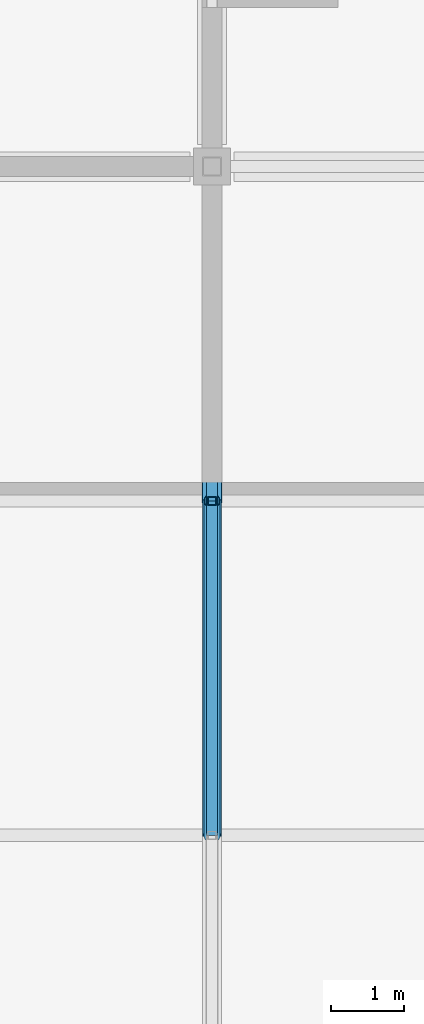
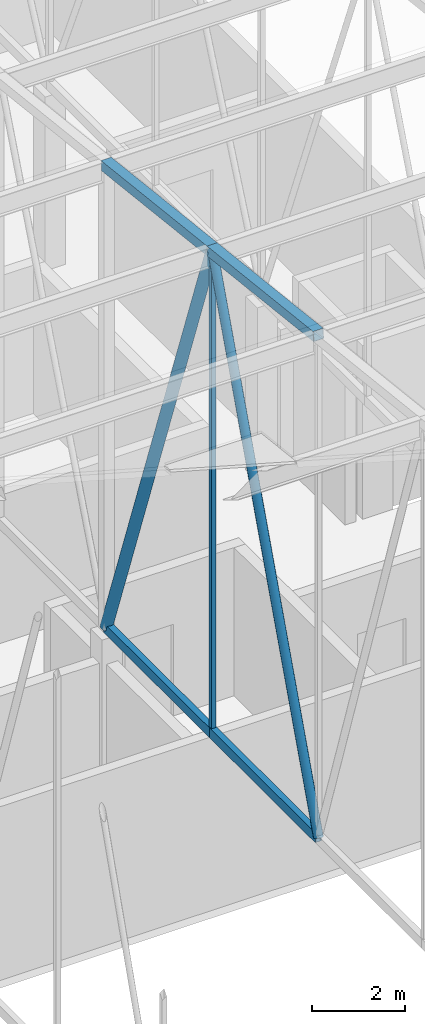
# One storey, part 197 of 500: 7 members.
"""IFC4 building model written with IfcOpenShell, lengths in metres."""

from ifc_helpers import new_model, si_unit, direction, frame, origin, origin_2d, place, context, subcontext, project, spatial, hollow_rectangle, hollow_circle, extrude, material, material_profile, profile_set, type_object, element, save


model = new_model("IFC4")

# Units and contexts
model_context = context("Model", 3, precision=1e-05, world=origin(), true_north=direction((0.0, 1.0)))
body_context = subcontext(model_context, "Body", "Model", "MODEL_VIEW")
ifc_project = project(units=[si_unit("LENGTHUNIT", "METRE"), si_unit("AREAUNIT", "SQUARE_METRE"), si_unit("VOLUMEUNIT", "CUBIC_METRE"), si_unit("PLANEANGLEUNIT", "RADIAN"), si_unit("MASSUNIT", "GRAM", prefix="KILO")], contexts=[model_context])

# Site, building, storey
site_placement = place(None, origin())
site = spatial("IfcSite", under=ifc_project, at=site_placement, CompositionType="ELEMENT")
building_placement = place(site_placement, origin())
building = spatial("IfcBuilding", under=site, at=building_placement, Name="Shirokan Park Arena", CompositionType="ELEMENT")
storey_placement = place(building_placement, frame((0.0, 0.0, 29.1201171875)))
storey = spatial("IfcBuildingStorey", under=building, at=storey_placement, Name="L06", CompositionType="ELEMENT", Elevation=29.1201171875)

# Members
ifc_material = material(Name="Steel ASTM A500 Grade C", Category="steel")
ifc_material_profile_1 = material_profile(ifc_material, hollow_rectangle(XDim=0.152099609375, YDim=0.25390625, WallThickness=0.009521484375, at=origin_2d()), Name="HSS254X152.4X9.5")
ifc_profile_set_1 = profile_set([ifc_material_profile_1], Name="Steel ASTM A500 Grade C")
member_type_1 = type_object("IfcMemberType", Name="Bottom chord HSS254X152.4X9.5", PredefinedType="CHORD", material=ifc_profile_set_1)
for number, where, z_axis, x_axis, name in (
    (1, (27.300048828125, 63.699951171875, 4.677001953125), (0.0, 1.0, 0.0), (-1.0, 0.0, 0.0), "Truss T04 bottom chord 17"),
    (2, (27.300048828125, 68.25, 4.677001953125), (0.0, 1.0, 0.0), (-1.0, 0.0, 0.0), "Truss T04 bottom chord 18"),
):
    element("IfcMember", number, at=place(storey_placement, frame(where, z_axis=z_axis, x_axis=x_axis)), inside=storey, type_object=member_type_1, Name=name, PredefinedType="CHORD", context=body_context, shape_type="SweptSolid", body=[
        extrude(hollow_rectangle(XDim=0.152099609375, YDim=0.25390625, WallThickness=0.009521484375, at=origin_2d()), origin(), (0.0, 0.0, 1.0), 4.550048828125),
    ])
ifc_material_profile_2 = material_profile(ifc_material, hollow_rectangle(XDim=0.25390625, YDim=0.25390625, WallThickness=0.009521484375, at=origin_2d()), Name="HSS254X254X9.5")
ifc_profile_set_2 = profile_set([ifc_material_profile_2], Name="Steel ASTM A500 Grade C")
member_type_2 = type_object("IfcMemberType", Name="Top chord HSS254X254X9.5", PredefinedType="CHORD", material=ifc_profile_set_2)
for number, where, z_axis, x_axis, name in (
    (3, (27.300048828125, 63.699951171875, 17.822998046875), (0.0, 0.993532328996, -0.113549598152), (-1.0, 0.0, 0.0), "Truss T04 top chord 17"),
    (4, (27.300048828125, 68.25, 17.302978515625), (0.0, 0.993532328996, -0.113549598152), (-1.0, 0.0, 0.0), "Truss T04 top chord 18"),
):
    element("IfcMember", number, at=place(storey_placement, frame(where, z_axis=z_axis, x_axis=x_axis)), inside=storey, type_object=member_type_2, Name=name, PredefinedType="CHORD", context=body_context, shape_type="SweptSolid", body=[
        extrude(hollow_rectangle(XDim=0.25390625, YDim=0.25390625, WallThickness=0.009521484375, at=origin_2d()), origin(), (0.0, 0.0, 1.0), 4.57958984375),
    ])
ifc_material_profile_3 = material_profile(ifc_material, hollow_circle(Radius=0.109619140625, WallThickness=0.009521484375, at=origin_2d()), Name="HSS219.1X9.5")
ifc_profile_set_3 = profile_set([ifc_material_profile_3], Name="Steel ASTM A500 Grade C")
member_type_3 = type_object("IfcMemberType", Name="Truss diagonal HSS219.1X9.5", PredefinedType="BRACE", material=ifc_profile_set_3)
member_1_placement = place(storey_placement, frame((27.300048828125, 63.699951171875, 4.677001953125), z_axis=(0.0, 0.339029292845, 0.940775817394), x_axis=(-1.0, 0.0, 0.0)))
element("IfcMember", 5, at=member_1_placement, inside=storey, type_object=member_type_3, Name="Truss T04 diagonal 17", PredefinedType="BRACE", context=body_context, shape_type="SweptSolid", body=[
    extrude(hollow_circle(Radius=0.109619140625, WallThickness=0.009521484375, at=origin_2d()), origin(), (0.0, 0.0, 1.0), 13.4208984375),
])
ifc_material_profile_4 = material_profile(ifc_material, hollow_circle(Radius=0.136474609375, WallThickness=0.009521484375, at=origin_2d()), Name="HSS273.1X9.5")
ifc_profile_set_4 = profile_set([ifc_material_profile_4], Name="Steel ASTM A500 Grade C")
member_type_4 = type_object("IfcMemberType", Name="Truss diagonal HSS273.1X9.5", PredefinedType="BRACE", material=ifc_profile_set_4)
member_2_placement = place(storey_placement, frame((27.300048828125, 68.25, 17.302978515625), z_axis=(0.0, 0.339029292845, -0.940775817394), x_axis=(-1.0, 0.0, 0.0)))
element("IfcMember", 6, at=member_2_placement, inside=storey, type_object=member_type_4, Name="Truss T04 diagonal 18", PredefinedType="BRACE", context=body_context, shape_type="SweptSolid", body=[
    extrude(hollow_circle(Radius=0.136474609375, WallThickness=0.009521484375, at=origin_2d()), origin(), (0.0, 0.0, 1.0), 13.4208984375),
])
ifc_material_profile_5 = material_profile(ifc_material, hollow_rectangle(XDim=0.114013671875, YDim=0.114013671875, WallThickness=0.00634765625, at=origin_2d()), Name="HSS114.3X114.3X6.4")
ifc_profile_set_5 = profile_set([ifc_material_profile_5], Name="Steel ASTM A500 Grade C")
member_type_5 = type_object("IfcMemberType", Name="Truss post HSS114.3X114.3X6.4", PredefinedType="POST", material=ifc_profile_set_5)
member_3_placement = place(storey_placement, frame((27.300048828125, 68.25, 4.677001953125), z_axis=(0.0, 0.0, 1.0), x_axis=(1.0, 0.0, 0.0)))
element("IfcMember", 7, at=member_3_placement, inside=storey, type_object=member_type_5, Name="Truss T04 post 18", PredefinedType="POST", context=body_context, shape_type="SweptSolid", body=[
    extrude(hollow_rectangle(XDim=0.114013671875, YDim=0.114013671875, WallThickness=0.00634765625, at=origin_2d()), origin(), (0.0, 0.0, 1.0), 12.6259765625),
])

save(model, "model.ifc")
